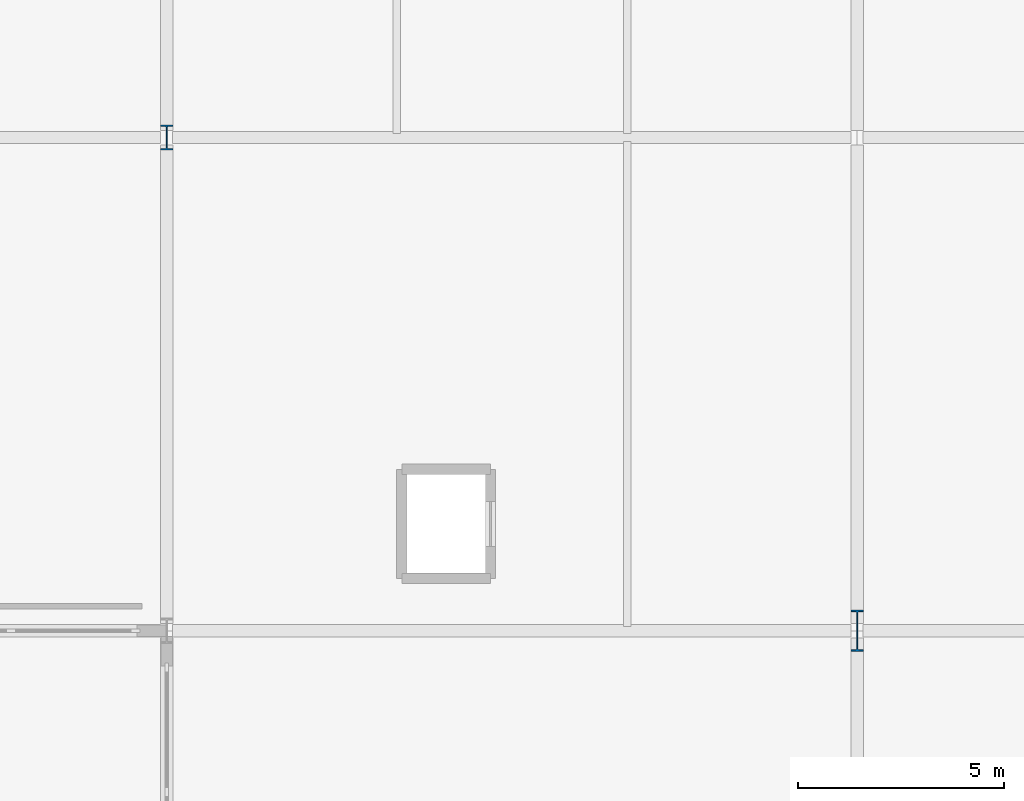
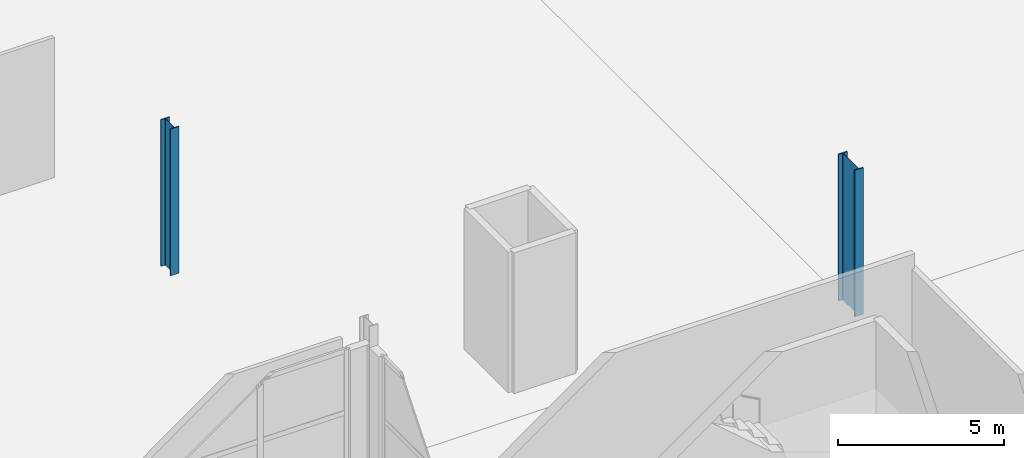
# One storey, part 4 of 87: 2 columns.
"""IFC4 building model written with IfcOpenShell, lengths in metres."""

from ifc_helpers import new_model, si_unit, direction, frame, origin, origin_2d, place, context, subcontext, project, spatial, i_section, extrude, material, material_profile, profile_set, type_object, element, save


model = new_model("IFC4")

# Units and contexts
model_context = context("Model", 3, precision=1e-05, world=origin(), true_north=direction((0.0, 1.0)))
body_context = subcontext(model_context, "Body", "Model", "MODEL_VIEW")
ifc_project = project(units=[si_unit("LENGTHUNIT", "METRE"), si_unit("AREAUNIT", "SQUARE_METRE"), si_unit("VOLUMEUNIT", "CUBIC_METRE"), si_unit("PLANEANGLEUNIT", "RADIAN"), si_unit("MASSUNIT", "GRAM", prefix="KILO")], contexts=[model_context])

# Site, building, storey
site_placement = place(None, origin())
site = spatial("IfcSite", under=ifc_project, at=site_placement, CompositionType="ELEMENT")
building_placement = place(site_placement, origin())
building = spatial("IfcBuilding", under=site, at=building_placement, Name="Kimbaza Rail Terminus", CompositionType="ELEMENT")
storey_placement = place(building_placement, origin())
storey = spatial("IfcBuildingStorey", under=building, at=storey_placement, Name="L00", CompositionType="ELEMENT", Elevation=0.0)

# Columns
ifc_material_1 = material(Name="Steel S355", Category="steel")
ifc_material_profile_1 = material_profile(ifc_material_1, i_section(OverallWidth=0.300048828125, OverallDepth=0.60009765625, WebThickness=0.015380859375, FlangeThickness=0.030029296875, FilletRadius=0.027099609375, at=origin_2d()), Name="HEB 600")
ifc_profile_set_1 = profile_set([ifc_material_profile_1], Name="Steel S355")
column_type_1 = type_object("IfcColumnType", Name="STR-COL-HEB600", PredefinedType="COLUMN", material=ifc_profile_set_1)
column_1_placement = place(storey_placement, frame((55.199951171875, 67.0, 0.0), z_axis=(0.0, 0.0, 1.0), x_axis=(1.0, 0.0, 0.0)))
element("IfcColumn", 1, at=column_1_placement, inside=storey, type_object=column_type_1, Name="Flank Concourse Column L00", PredefinedType="COLUMN", context=body_context, shape_type="SweptSolid", body=[
    extrude(i_section(OverallWidth=0.300048828125, OverallDepth=0.60009765625, WebThickness=0.015380859375, FlangeThickness=0.030029296875, FilletRadius=0.027099609375, at=origin_2d()), origin(), (0.0, 0.0, 1.0), 5.39990234375),
])
ifc_material_2 = material(Name="Steel S355", Category="steel")
ifc_material_profile_2 = material_profile(ifc_material_2, i_section(OverallWidth=0.302001953125, OverallDepth=1.008056640625, WebThickness=0.02099609375, FlangeThickness=0.0400390625, FilletRadius=0.030029296875, at=origin_2d()), Name="HEM 1000")
ifc_profile_set_2 = profile_set([ifc_material_profile_2], Name="Steel S355")
column_type_2 = type_object("IfcColumnType", Name="STR-COL-HEM1000", PredefinedType="COLUMN", material=ifc_profile_set_2)
column_2_placement = place(storey_placement, frame((72.0, 55.0, 0.0), z_axis=(0.0, 0.0, 1.0), x_axis=(1.0, 0.0, 0.0)))
element("IfcColumn", 2, at=column_2_placement, inside=storey, type_object=column_type_2, Name="Ticket Hall Pier L00", PredefinedType="COLUMN", context=body_context, shape_type="SweptSolid", body=[
    extrude(i_section(OverallWidth=0.302001953125, OverallDepth=1.008056640625, WebThickness=0.02099609375, FlangeThickness=0.0400390625, FilletRadius=0.030029296875, at=origin_2d()), origin(), (0.0, 0.0, 1.0), 5.39990234375),
])

save(model, "model.ifc")
